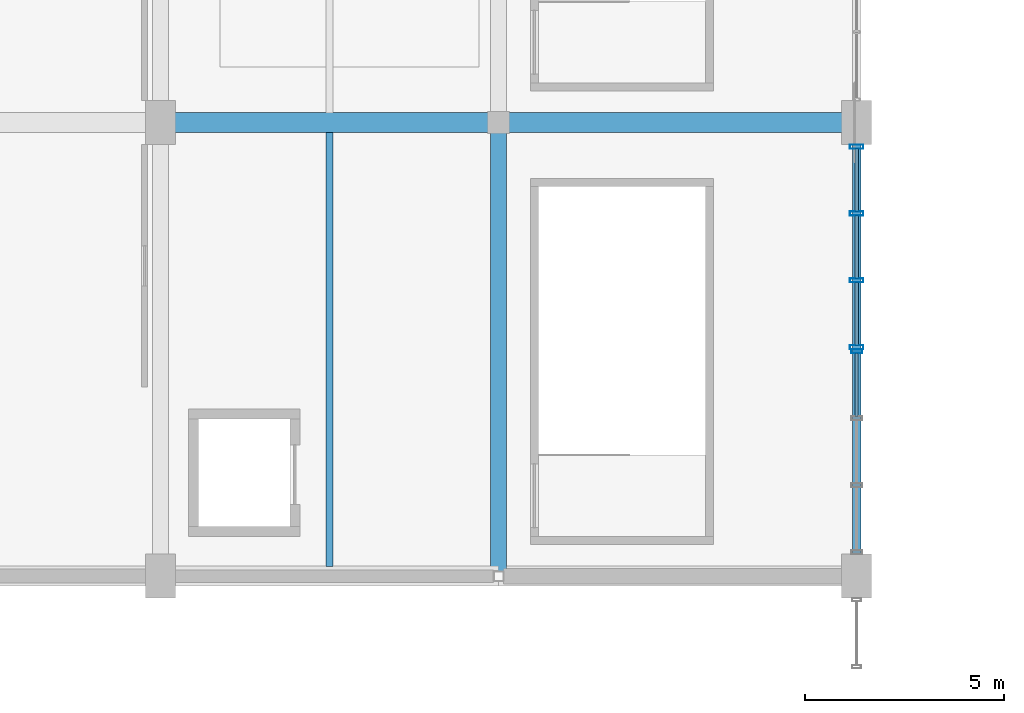
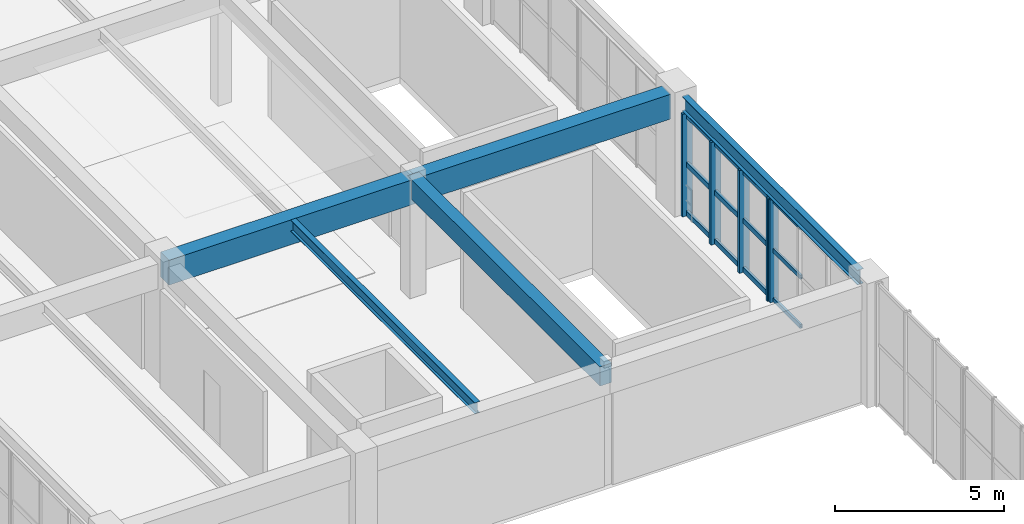
# One storey, part 22 of 80: 17 members, 5 beams, 2 elements without a shape of their own.
"""IFC4 building model written with IfcOpenShell, lengths in metres."""

from ifc_helpers import new_model, si_unit, direction, frame, origin, origin_2d, place, context, subcontext, project, spatial, rectangle, hollow_rectangle, i_section, extrude, material, layer, layer_set, material_profile, profile_set, type_object, element, aggregate, save


model = new_model("IFC4")

# Units and contexts
model_context = context("Model", 3, precision=1e-05, world=origin(), true_north=direction((0.0, 1.0)))
body_context = subcontext(model_context, "Body", "Model", "MODEL_VIEW")
ifc_project = project(units=[si_unit("LENGTHUNIT", "METRE"), si_unit("AREAUNIT", "SQUARE_METRE"), si_unit("VOLUMEUNIT", "CUBIC_METRE"), si_unit("PLANEANGLEUNIT", "RADIAN"), si_unit("MASSUNIT", "GRAM", prefix="KILO"), si_unit("POWERUNIT", "WATT"), si_unit("THERMODYNAMICTEMPERATUREUNIT", "KELVIN")], contexts=[model_context])

# Site, building, storey
site_placement = place(None, origin())
site = spatial("IfcSite", under=ifc_project, at=site_placement, CompositionType="ELEMENT")
building_placement = place(site_placement, origin())
building = spatial("IfcBuilding", under=site, at=building_placement, Name="Kelmbourne Parkland Aquatics Centre", CompositionType="ELEMENT")
storey_placement = place(building_placement, frame((0.0, 0.0, 10.199951171875)))
storey = spatial("IfcBuildingStorey", under=building, at=storey_placement, Name="L02", CompositionType="ELEMENT", Elevation=10.199951171875)

# Beams
ifc_material_1 = material(Name="Concrete C40/50", Category="concrete")
ifc_material_profile_1 = material_profile(ifc_material_1, rectangle(XDim=0.5, YDim=0.89990234375, at=origin_2d()), Name="RC 500x900")
ifc_profile_set_1 = profile_set([ifc_material_profile_1], Name="Concrete C40/50")
beam_type_1 = type_object("IfcBeamType", Name="BM-G03", PredefinedType="BEAM", material=ifc_profile_set_1)
beam_1_placement = place(storey_placement, frame((110.5, 23.60009765625, 3.81005859375), z_axis=(1.0, 0.0, 0.0), x_axis=(0.0, 1.0, 0.0)))
element("IfcBeam", 1, at=beam_1_placement, inside=storey, type_object=beam_type_1, Name="Primary girder N-O Grid 04 (L03)", PredefinedType="BEAM", context=body_context, shape_type="SweptSolid", body=[
    extrude(rectangle(XDim=0.5, YDim=0.89990234375, at=origin_2d()), origin(), (0.0, 0.0, 1.0), 8.5),
])
beam_2_placement = place(storey_placement, frame((119.0, 23.60009765625, 3.81005859375), z_axis=(1.0, 0.0, 0.0), x_axis=(0.0, 1.0, 0.0)))
element("IfcBeam", 2, at=beam_2_placement, inside=storey, type_object=beam_type_1, Name="Primary girder O-P Grid 04 (L03)", PredefinedType="BEAM", context=body_context, shape_type="SweptSolid", body=[
    extrude(rectangle(XDim=0.5, YDim=0.89990234375, at=origin_2d()), origin(), (0.0, 0.0, 1.0), 8.669921875),
])
ifc_material_profile_2 = material_profile(ifc_material_1, rectangle(XDim=0.39990234375, YDim=0.699951171875, at=origin_2d()), Name="RC 400x700")
ifc_profile_set_2 = profile_set([ifc_material_profile_2], Name="Concrete C40/50")
beam_type_2 = type_object("IfcBeamType", Name="BM-G05", PredefinedType="BEAM", material=ifc_profile_set_2)
beam_3_placement = place(storey_placement, frame((119.0, 12.199951171875, 3.91015625), z_axis=(0.0, 1.0, 0.0), x_axis=(-1.0, 0.0, 0.0)))
element("IfcBeam", 3, at=beam_3_placement, inside=storey, type_object=beam_type_2, Name="Primary girder 03-04 Grid O (L03)", PredefinedType="BEAM", context=body_context, shape_type="SweptSolid", body=[
    extrude(rectangle(XDim=0.39990234375, YDim=0.699951171875, at=origin_2d()), origin(), (0.0, 0.0, 1.0), 11.400146484375),
])
ifc_material_2 = material(Name="Structural steel AS/NZS 3679.1 Grade 300", Category="steel")
ifc_material_profile_3 = material_profile(ifc_material_2, i_section(OverallWidth=0.177978515625, OverallDepth=0.406005859375, WebThickness=0.0078125, FlangeThickness=0.0126953125, at=origin_2d()), Name="410UB59.7")
ifc_profile_set_3 = profile_set([ifc_material_profile_3], Name="Structural steel AS/NZS 3679.1 Grade 300")
beam_type_3 = type_object("IfcBeamType", Name="BM-J01", PredefinedType="JOIST", material=ifc_profile_set_3)
beam_4_placement = place(storey_placement, frame((114.75, 12.44189453125, 4.05712890625), z_axis=(0.0, 1.0, 0.0), x_axis=(-1.0, 0.0, 0.0)))
element("IfcBeam", 4, at=beam_4_placement, inside=storey, type_object=beam_type_3, Name="Secondary floor joist N-O/03-04 #1 (L03)", PredefinedType="JOIST", context=body_context, shape_type="SweptSolid", body=[
    extrude(i_section(OverallWidth=0.177978515625, OverallDepth=0.406005859375, WebThickness=0.0078125, FlangeThickness=0.0126953125, at=origin_2d()), origin(), (0.0, 0.0, 1.0), 10.916015625),
])
ifc_material_profile_4 = material_profile(ifc_material_2, i_section(OverallWidth=0.208984375, OverallDepth=0.532958984375, WebThickness=0.01025390625, FlangeThickness=0.015625, at=origin_2d()), Name="530UB92.4")
ifc_profile_set_4 = profile_set([ifc_material_profile_4], Name="Structural steel AS/NZS 3679.1 Grade 300")
beam_type_4 = type_object("IfcBeamType", Name="BM-SP02", PredefinedType="SPANDREL", material=ifc_profile_set_4)
beam_5_placement = place(storey_placement, frame((128.0, 12.705078125, 3.99365234375), z_axis=(0.0, 1.0, 0.0), x_axis=(-1.0, 0.0, 0.0)))
element("IfcBeam", 5, at=beam_5_placement, inside=storey, type_object=beam_type_4, Name="Perimeter spandrel 03-04 Grid P (L03)", PredefinedType="SPANDREL", context=body_context, shape_type="SweptSolid", body=[
    extrude(i_section(OverallWidth=0.208984375, OverallDepth=0.532958984375, WebThickness=0.01025390625, FlangeThickness=0.015625, at=origin_2d()), origin(), (0.0, 0.0, 1.0), 10.389892578125),
])

# Curtain wall, member
ifc_material_3 = material(Name="Thermally broken anodised aluminium framing", Category="aluminium")
ifc_layer_1 = layer(ifc_material_3, 0.179931640625)
ifc_layer_set_1 = layer_set([ifc_layer_1], Name="Thermally broken anodised aluminium framing")
curtain_wall_type_1 = type_object("IfcCurtainWallType", Name="CW-16", PredefinedType="NOTDEFINED", material=ifc_layer_set_1)
curtain_wall_1_placement = place(storey_placement, origin())
curtain_wall_1 = element("IfcCurtainWall", 6, at=curtain_wall_1_placement, inside=storey, type_object=curtain_wall_type_1, Name="Facade curtain wall CW-L02-208", PredefinedType="NOTDEFINED")
ifc_material_profile_5 = material_profile(ifc_material_3, hollow_rectangle(XDim=0.094970703125, YDim=0.280029296875, WallThickness=0.005615234375, at=origin_2d()), Name="CW-M 95x280")
ifc_profile_set_5 = profile_set([ifc_material_profile_5], Name="Thermally broken anodised aluminium framing")
member_type_1 = type_object("IfcMemberType", Name="MB-MUL-4", PredefinedType="MULLION", material=ifc_profile_set_5)
member_1_placement = place(storey_placement, frame((128.0, 17.8525390625, 0.0), z_axis=(0.0, 0.0, 1.0), x_axis=(0.0, 1.0, 0.0)))
member_1 = element("IfcMember", 7, at=member_1_placement, type_object=member_type_1, Name="CW-L02-208 mullion 3", PredefinedType="MULLION", context=body_context, shape_type="SweptSolid", body=[
    extrude(hollow_rectangle(XDim=0.094970703125, YDim=0.280029296875, WallThickness=0.005615234375, at=origin_2d()), origin(), (0.0, 0.0, 1.0), 3.712158203125),
])

# Curtain wall, members
ifc_layer_2 = layer(ifc_material_3, 0.179931640625)
ifc_layer_set_2 = layer_set([ifc_layer_2], Name="Thermally broken anodised aluminium framing")
curtain_wall_type_2 = type_object("IfcCurtainWallType", Name="CW-17", PredefinedType="NOTDEFINED", material=ifc_layer_set_2)
curtain_wall_2_placement = place(storey_placement, origin())
curtain_wall_2 = element("IfcCurtainWall", 8, at=curtain_wall_2_placement, inside=storey, type_object=curtain_wall_type_2, Name="Facade curtain wall CW-L02-209", PredefinedType="NOTDEFINED")
ifc_material_profile_6 = material_profile(ifc_material_3, hollow_rectangle(XDim=0.10498046875, YDim=0.340087890625, WallThickness=0.006103515625, at=origin_2d()), Name="CW-M 105x340")
ifc_profile_set_6 = profile_set([ifc_material_profile_6], Name="Thermally broken anodised aluminium framing")
member_type_2 = type_object("IfcMemberType", Name="MB-MUL-5", PredefinedType="MULLION", material=ifc_profile_set_6)
member_2_placement = place(storey_placement, frame((128.0, 17.952392578125, 0.0), z_axis=(0.0, 0.0, 1.0), x_axis=(0.0, 1.0, 0.0)))
member_2 = element("IfcMember", 9, at=member_2_placement, type_object=member_type_2, Name="CW-L02-209 mullion 0", PredefinedType="MULLION", context=body_context, shape_type="SweptSolid", body=[
    extrude(hollow_rectangle(XDim=0.10498046875, YDim=0.340087890625, WallThickness=0.006103515625, at=origin_2d()), origin(), (0.0, 0.0, 1.0), 3.712158203125),
])
member_3_placement = place(storey_placement, frame((128.0, 19.633544921875, 0.0), z_axis=(0.0, 0.0, 1.0), x_axis=(0.0, 1.0, 0.0)))
member_3 = element("IfcMember", 10, at=member_3_placement, type_object=member_type_2, Name="CW-L02-209 mullion 1", PredefinedType="MULLION", context=body_context, shape_type="SweptSolid", body=[
    extrude(hollow_rectangle(XDim=0.10498046875, YDim=0.340087890625, WallThickness=0.006103515625, at=origin_2d()), origin(), (0.0, 0.0, 1.0), 3.712158203125),
])
member_4_placement = place(storey_placement, frame((128.0, 21.314453125, 0.0), z_axis=(0.0, 0.0, 1.0), x_axis=(0.0, 1.0, 0.0)))
member_4 = element("IfcMember", 11, at=member_4_placement, type_object=member_type_2, Name="CW-L02-209 mullion 2", PredefinedType="MULLION", context=body_context, shape_type="SweptSolid", body=[
    extrude(hollow_rectangle(XDim=0.10498046875, YDim=0.340087890625, WallThickness=0.006103515625, at=origin_2d()), origin(), (0.0, 0.0, 1.0), 3.712158203125),
])
member_5_placement = place(storey_placement, frame((128.0, 22.99560546875, 0.0), z_axis=(0.0, 0.0, 1.0), x_axis=(0.0, 1.0, 0.0)))
member_5 = element("IfcMember", 12, at=member_5_placement, type_object=member_type_2, Name="CW-L02-209 mullion 3", PredefinedType="MULLION", context=body_context, shape_type="SweptSolid", body=[
    extrude(hollow_rectangle(XDim=0.10498046875, YDim=0.340087890625, WallThickness=0.006103515625, at=origin_2d()), origin(), (0.0, 0.0, 1.0), 3.712158203125),
])

# Member
ifc_material_profile_7 = material_profile(ifc_material_3, hollow_rectangle(XDim=0.074951171875, YDim=0.14990234375, WallThickness=0.00390625, at=origin_2d()), Name="CW-T 75x150")
ifc_profile_set_7 = profile_set([ifc_material_profile_7], Name="Thermally broken anodised aluminium framing")
member_type_3 = type_object("IfcMemberType", Name="MB-TRN-2", PredefinedType="USERDEFINED", material=ifc_profile_set_7)
member_6_placement = place(storey_placement, frame((128.0, 16.211669921875, 0.078125), z_axis=(0.0, 1.0, 0.0), x_axis=(-1.0, 0.0, 0.0)))
member_6 = element("IfcMember", 13, at=member_6_placement, type_object=member_type_3, Name="CW-L02-208 transom 0-2", ObjectType="TRANSOM", PredefinedType="USERDEFINED", context=body_context, shape_type="SweptSolid", body=[
    extrude(hollow_rectangle(XDim=0.074951171875, YDim=0.14990234375, WallThickness=0.00390625, at=origin_2d()), origin(), (0.0, 0.0, 1.0), 1.597412109375),
])

member_7_placement = place(storey_placement, frame((128.0, 16.211669921875, 1.85595703125), z_axis=(0.0, 1.0, 0.0), x_axis=(-1.0, 0.0, 0.0)))
member_7 = element("IfcMember", 14, at=member_7_placement, type_object=member_type_3, Name="CW-L02-208 transom 1-2", ObjectType="TRANSOM", PredefinedType="USERDEFINED", context=body_context, shape_type="SweptSolid", body=[
    extrude(hollow_rectangle(XDim=0.074951171875, YDim=0.14990234375, WallThickness=0.00390625, at=origin_2d()), origin(), (0.0, 0.0, 1.0), 1.597412109375),
])

member_8_placement = place(storey_placement, frame((128.0, 16.211669921875, 3.634033203125), z_axis=(0.0, 1.0, 0.0), x_axis=(-1.0, 0.0, 0.0)))
member_8 = element("IfcMember", 15, at=member_8_placement, type_object=member_type_3, Name="CW-L02-208 transom 2-2", ObjectType="TRANSOM", PredefinedType="USERDEFINED", context=body_context, shape_type="SweptSolid", body=[
    extrude(hollow_rectangle(XDim=0.074951171875, YDim=0.14990234375, WallThickness=0.00390625, at=origin_2d()), origin(), (0.0, 0.0, 1.0), 1.597412109375),
])

aggregate(curtain_wall_1, [member_1, member_6, member_7, member_8])

ifc_material_profile_8 = material_profile(ifc_material_3, hollow_rectangle(XDim=0.0849609375, YDim=0.179931640625, WallThickness=0.00439453125, at=origin_2d()), Name="CW-T 85x180")
ifc_profile_set_8 = profile_set([ifc_material_profile_8], Name="Thermally broken anodised aluminium framing")
member_type_4 = type_object("IfcMemberType", Name="MB-TRN-3", PredefinedType="USERDEFINED", material=ifc_profile_set_8)
member_9_placement = place(storey_placement, frame((128.0, 18.0009765625, 0.093017578125), z_axis=(0.0, 1.0, 0.0), x_axis=(-1.0, 0.0, 0.0)))
member_9 = element("IfcMember", 16, at=member_9_placement, type_object=member_type_4, Name="CW-L02-209 transom 0-0", ObjectType="TRANSOM", PredefinedType="USERDEFINED", context=body_context, shape_type="SweptSolid", body=[
    extrude(hollow_rectangle(XDim=0.0849609375, YDim=0.179931640625, WallThickness=0.00439453125, at=origin_2d()), origin(), (0.0, 0.0, 1.0), 1.583984375),
])

member_10_placement = place(storey_placement, frame((128.0, 19.681884765625, 0.093017578125), z_axis=(0.0, 1.0, 0.0), x_axis=(-1.0, 0.0, 0.0)))
member_10 = element("IfcMember", 17, at=member_10_placement, type_object=member_type_4, Name="CW-L02-209 transom 0-1", ObjectType="TRANSOM", PredefinedType="USERDEFINED", context=body_context, shape_type="SweptSolid", body=[
    extrude(hollow_rectangle(XDim=0.0849609375, YDim=0.179931640625, WallThickness=0.00439453125, at=origin_2d()), origin(), (0.0, 0.0, 1.0), 1.584228515625),
])

member_11_placement = place(storey_placement, frame((128.0, 21.363037109375, 0.093017578125), z_axis=(0.0, 1.0, 0.0), x_axis=(-1.0, 0.0, 0.0)))
member_11 = element("IfcMember", 18, at=member_11_placement, type_object=member_type_4, Name="CW-L02-209 transom 0-2", ObjectType="TRANSOM", PredefinedType="USERDEFINED", context=body_context, shape_type="SweptSolid", body=[
    extrude(hollow_rectangle(XDim=0.0849609375, YDim=0.179931640625, WallThickness=0.00439453125, at=origin_2d()), origin(), (0.0, 0.0, 1.0), 1.583984375),
])

member_12_placement = place(storey_placement, frame((128.0, 18.0009765625, 1.85595703125), z_axis=(0.0, 1.0, 0.0), x_axis=(-1.0, 0.0, 0.0)))
member_12 = element("IfcMember", 19, at=member_12_placement, type_object=member_type_4, Name="CW-L02-209 transom 1-0", ObjectType="TRANSOM", PredefinedType="USERDEFINED", context=body_context, shape_type="SweptSolid", body=[
    extrude(hollow_rectangle(XDim=0.0849609375, YDim=0.179931640625, WallThickness=0.00439453125, at=origin_2d()), origin(), (0.0, 0.0, 1.0), 1.583984375),
])

member_13_placement = place(storey_placement, frame((128.0, 19.681884765625, 1.85595703125), z_axis=(0.0, 1.0, 0.0), x_axis=(-1.0, 0.0, 0.0)))
member_13 = element("IfcMember", 20, at=member_13_placement, type_object=member_type_4, Name="CW-L02-209 transom 1-1", ObjectType="TRANSOM", PredefinedType="USERDEFINED", context=body_context, shape_type="SweptSolid", body=[
    extrude(hollow_rectangle(XDim=0.0849609375, YDim=0.179931640625, WallThickness=0.00439453125, at=origin_2d()), origin(), (0.0, 0.0, 1.0), 1.584228515625),
])

member_14_placement = place(storey_placement, frame((128.0, 21.363037109375, 1.85595703125), z_axis=(0.0, 1.0, 0.0), x_axis=(-1.0, 0.0, 0.0)))
member_14 = element("IfcMember", 21, at=member_14_placement, type_object=member_type_4, Name="CW-L02-209 transom 1-2", ObjectType="TRANSOM", PredefinedType="USERDEFINED", context=body_context, shape_type="SweptSolid", body=[
    extrude(hollow_rectangle(XDim=0.0849609375, YDim=0.179931640625, WallThickness=0.00439453125, at=origin_2d()), origin(), (0.0, 0.0, 1.0), 1.583984375),
])

member_15_placement = place(storey_placement, frame((128.0, 18.0009765625, 3.619140625), z_axis=(0.0, 1.0, 0.0), x_axis=(-1.0, 0.0, 0.0)))
member_15 = element("IfcMember", 22, at=member_15_placement, type_object=member_type_4, Name="CW-L02-209 transom 2-0", ObjectType="TRANSOM", PredefinedType="USERDEFINED", context=body_context, shape_type="SweptSolid", body=[
    extrude(hollow_rectangle(XDim=0.0849609375, YDim=0.179931640625, WallThickness=0.00439453125, at=origin_2d()), origin(), (0.0, 0.0, 1.0), 1.583984375),
])

member_16_placement = place(storey_placement, frame((128.0, 19.681884765625, 3.619140625), z_axis=(0.0, 1.0, 0.0), x_axis=(-1.0, 0.0, 0.0)))
member_16 = element("IfcMember", 23, at=member_16_placement, type_object=member_type_4, Name="CW-L02-209 transom 2-1", ObjectType="TRANSOM", PredefinedType="USERDEFINED", context=body_context, shape_type="SweptSolid", body=[
    extrude(hollow_rectangle(XDim=0.0849609375, YDim=0.179931640625, WallThickness=0.00439453125, at=origin_2d()), origin(), (0.0, 0.0, 1.0), 1.584228515625),
])

member_17_placement = place(storey_placement, frame((128.0, 21.363037109375, 3.619140625), z_axis=(0.0, 1.0, 0.0), x_axis=(-1.0, 0.0, 0.0)))
member_17 = element("IfcMember", 24, at=member_17_placement, type_object=member_type_4, Name="CW-L02-209 transom 2-2", ObjectType="TRANSOM", PredefinedType="USERDEFINED", context=body_context, shape_type="SweptSolid", body=[
    extrude(hollow_rectangle(XDim=0.0849609375, YDim=0.179931640625, WallThickness=0.00439453125, at=origin_2d()), origin(), (0.0, 0.0, 1.0), 1.583984375),
])

aggregate(curtain_wall_2, [member_2, member_3, member_4, member_5, member_9, member_10, member_11, member_12, member_13, member_14, member_15, member_16, member_17])

save(model, "model.ifc")
